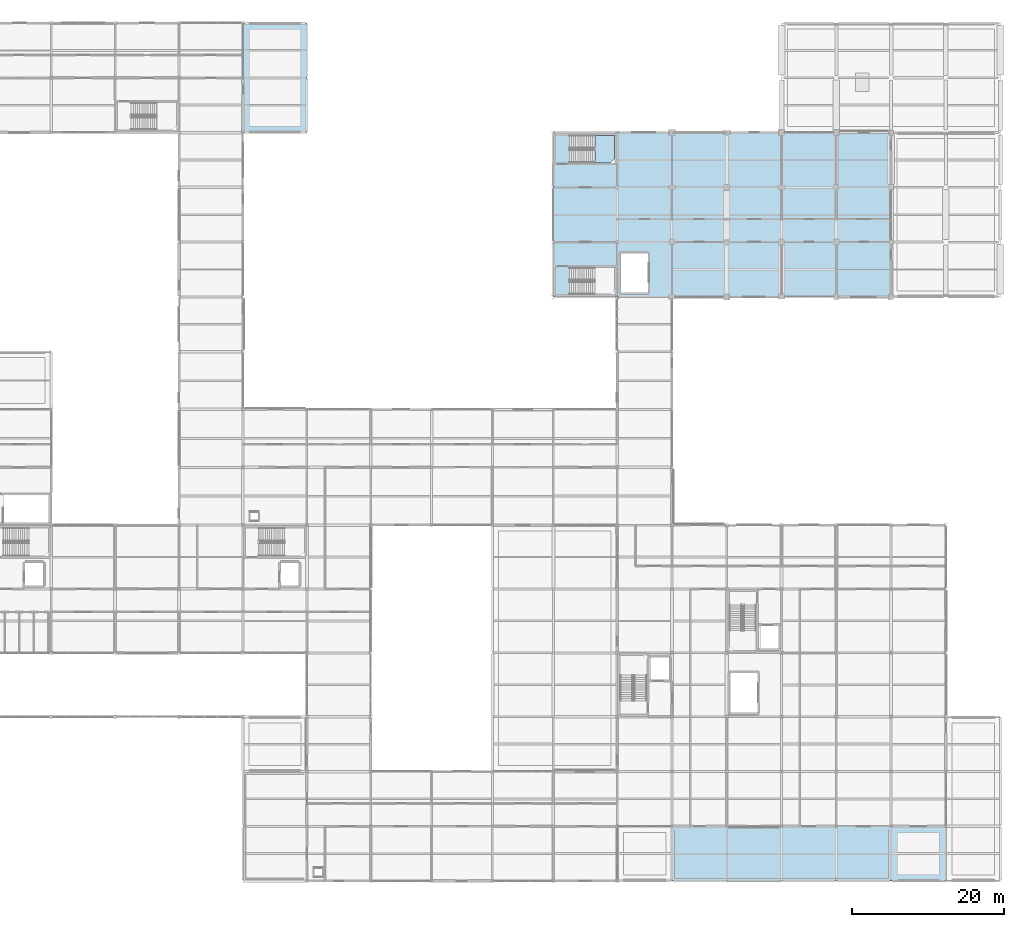
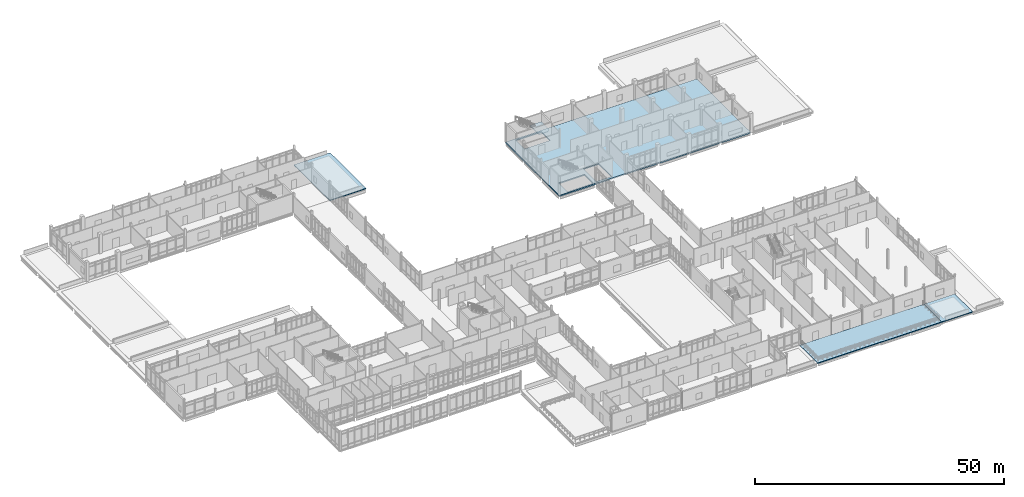
# One storey, part 131 of 186: 5 slabs, 1 element without a shape of its own.
"""IFC4 building model written with IfcOpenShell, lengths in metres."""

from ifc_helpers import new_model, si_unit, direction, frame, origin, place, context, subcontext, project, spatial, polyline, outline, extrude, material, layer, layer_set, type_object, element, aggregate, save


model = new_model("IFC4")

# Units and contexts
model_context = context("Model", 3, precision=1e-05, world=origin(), true_north=direction((0.0, 1.0)))
body_context = subcontext(model_context, "Body", "Model", "MODEL_VIEW")
ifc_project = project(units=[si_unit("LENGTHUNIT", "METRE"), si_unit("AREAUNIT", "SQUARE_METRE"), si_unit("VOLUMEUNIT", "CUBIC_METRE"), si_unit("PLANEANGLEUNIT", "RADIAN"), si_unit("MASSUNIT", "GRAM", prefix="KILO")], contexts=[model_context])

# Site, building, storey
site_placement = place(None, origin())
site = spatial("IfcSite", under=ifc_project, at=site_placement, CompositionType="ELEMENT")
building_placement = place(site_placement, origin())
building = spatial("IfcBuilding", under=site, at=building_placement, Name="Calvrana Isthmian Art Gallery", CompositionType="ELEMENT")
storey_placement = place(building_placement, frame((0.0, 0.0, 5.39990234375)))
storey = spatial("IfcBuildingStorey", under=building, at=storey_placement, Name="L01", CompositionType="ELEMENT", Elevation=5.39990234375)

# Stair, slab
ifc_material = material(Name="Concrete C40/50", Category="concrete")
stair_type = type_object("IfcStairType", Name="STR-TSR-480", PredefinedType="TWO_STRAIGHT_RUN_STAIR", material=ifc_material)
stair_placement = place(storey_placement, origin())
stair = element("IfcStair", 1, at=stair_placement, inside=storey, type_object=stair_type, Name="Protected exit stair ST-8 (L01)", PredefinedType="TWO_STRAIGHT_RUN_STAIR")
ifc_layer_1 = layer(ifc_material, 0.199951171875, Name="Concrete C40/50")
ifc_layer_set_1 = layer_set([ifc_layer_1], Name="Concrete C40/50")
slab_type_1 = type_object("IfcSlabType", Name="SLB-LAND-200", PredefinedType="LANDING", material=ifc_layer_set_1)
slab_1_placement = place(storey_placement, frame((0.0, 0.0, 2.2001953125)))
slab_1 = element("IfcSlab", 2, at=slab_1_placement, type_object=slab_type_1, Name="ST-8 landing 1", PredefinedType="LANDING", context=body_context, shape_type="SweptSolid", body=[
    extrude(outline(polyline([(109.860107421875, 94.429931640625), (111.93994140625, 94.429931640625), (112.4599609375, 94.949951171875), (112.4599609375, 98.030029296875), (109.860107421875, 98.030029296875), (109.860107421875, 94.429931640625)])), origin(), (0.0, 0.0, 1.0), 0.199951171875),
])
aggregate(stair, [slab_1])

# Slabs
ifc_layer_2 = layer(ifc_material, 0.199951171875, Name="Concrete C40/50")
ifc_layer_set_2 = layer_set([ifc_layer_2], Name="Concrete C40/50")
slab_type_2 = type_object("IfcSlabType", Name="SLB-ROOF-200", PredefinedType="ROOF", material=ifc_layer_set_2)
slab_2_placement = place(storey_placement, frame((0.0, 0.0, -0.199951171875)))
element("IfcSlab", 3, at=slab_2_placement, inside=storey, type_object=slab_type_2, Name="Flat roof slab ROOF_V4SE_L01", PredefinedType="ROOF", context=body_context, shape_type="SweptSolid", body=[
    extrude(outline(polyline([(148.800048828125, 0.0), (156.0, 0.0), (156.0, 7.199951171875), (148.800048828125, 7.199951171875), (148.800048828125, 0.0)])), origin(), (0.0, 0.0, 1.0), 0.199951171875),
])
slab_3_placement = place(storey_placement, frame((0.0, 0.0, -0.199951171875)))
element("IfcSlab", 4, at=slab_3_placement, inside=storey, type_object=slab_type_2, Name="Flat roof slab ROOF_V6NE_L01", PredefinedType="ROOF", context=body_context, shape_type="SweptSolid", body=[
    extrude(outline(polyline([(63.60009765625, 98.39990234375), (72.0, 98.39990234375), (72.0, 112.800048828125), (63.60009765625, 112.800048828125), (63.60009765625, 98.39990234375)])), origin(), (0.0, 0.0, 1.0), 0.199951171875),
])
ifc_layer_3 = layer(ifc_material, 0.300048828125, Name="Concrete C40/50")
ifc_layer_set_3 = layer_set([ifc_layer_3], Name="Concrete C40/50")
slab_type_3 = type_object("IfcSlabType", Name="SLB-STORE-300", PredefinedType="FLOOR", material=ifc_layer_set_3)
slab_4_placement = place(storey_placement, frame((0.0, 0.0, -0.2998046875)))
element("IfcSlab", 5, at=slab_4_placement, inside=storey, type_object=slab_type_3, Name="Floor slab V5_L01", PredefinedType="FLOOR", context=body_context, shape_type="SweptSolid", body=[
    extrude(outline(polyline([(104.39990234375, 76.800048828125), (148.800048828125, 76.800048828125), (148.800048828125, 98.39990234375), (104.39990234375, 98.39990234375), (104.39990234375, 76.800048828125)]), holes=[polyline([(106.5, 77.14990234375), (112.4599609375, 77.14990234375), (112.4599609375, 80.669921875), (106.5, 80.669921875), (106.5, 77.14990234375)]), polyline([(113.25, 77.35009765625), (116.85009765625, 77.35009765625), (116.85009765625, 82.550048828125), (113.25, 82.550048828125), (113.25, 77.35009765625)]), polyline([(106.5, 94.429931640625), (112.4599609375, 94.429931640625), (112.4599609375, 98.030029296875), (106.5, 98.030029296875), (106.5, 94.429931640625)])]), origin(), (0.0, 0.0, 1.0), 0.2998046875),
])
ifc_layer_4 = layer(ifc_material, 0.199951171875, Name="Concrete C40/50")
ifc_layer_set_4 = layer_set([ifc_layer_4], Name="Concrete C40/50")
slab_type_4 = type_object("IfcSlabType", Name="SLB-TER-200", PredefinedType="FLOOR", material=ifc_layer_set_4)
slab_5_placement = place(storey_placement, frame((0.0, 0.0, -0.199951171875)))
element("IfcSlab", 6, at=slab_5_placement, inside=storey, type_object=slab_type_4, Name="Outdoor sculpture terrace TER_V4S_L01", PredefinedType="FLOOR", context=body_context, shape_type="SweptSolid", body=[
    extrude(outline(polyline([(120.0, 0.0), (148.800048828125, 0.0), (148.800048828125, 7.199951171875), (120.0, 7.199951171875), (120.0, 0.0)])), origin(), (0.0, 0.0, 1.0), 0.199951171875),
])

save(model, "model.ifc")
